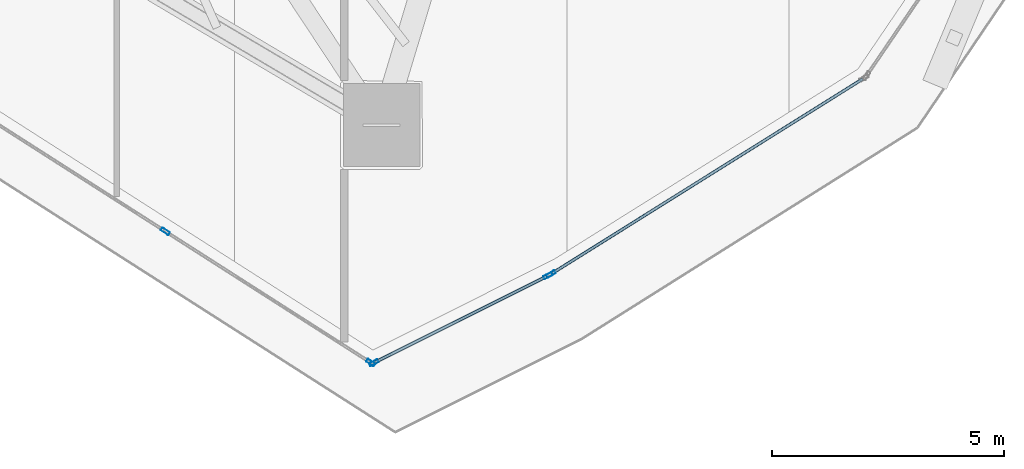
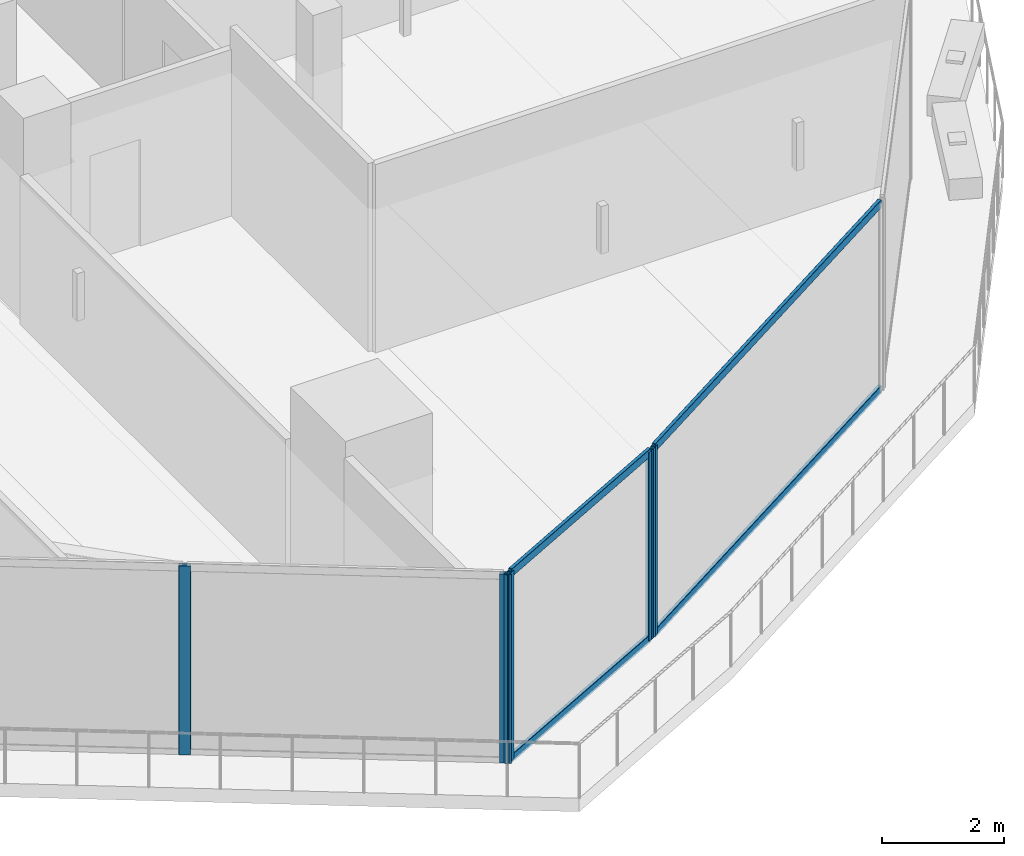
# One storey, part 11 of 40: 9 members, 3 elements without a shape of their own.
"""IFC4 building model written with IfcOpenShell, lengths in metres."""

from ifc_helpers import new_model, si_unit, direction, frame, origin, origin_2d, place, context, subcontext, project, spatial, hollow_rectangle, extrude, material, layer, layer_set, material_profile, profile_set, type_object, element, aggregate, save


model = new_model("IFC4")

# Units and contexts
model_context = context("Model", 3, precision=1e-05, world=origin(), true_north=direction((0.0, 1.0)))
body_context = subcontext(model_context, "Body", "Model", "MODEL_VIEW")
ifc_project = project(units=[si_unit("LENGTHUNIT", "METRE"), si_unit("AREAUNIT", "SQUARE_METRE"), si_unit("VOLUMEUNIT", "CUBIC_METRE"), si_unit("PLANEANGLEUNIT", "RADIAN"), si_unit("MASSUNIT", "GRAM", prefix="KILO")], contexts=[model_context])

# Site, building, storey
site_placement = place(None, origin())
site = spatial("IfcSite", under=ifc_project, at=site_placement, CompositionType="ELEMENT")
building_placement = place(site_placement, origin())
building = spatial("IfcBuilding", under=site, at=building_placement, Name="Qorvath Tower", CompositionType="ELEMENT")
storey_placement = place(building_placement, frame((0.0, 0.0, 225.300048828125)))
storey = spatial("IfcBuildingStorey", under=building, at=storey_placement, Name="L52", CompositionType="ELEMENT", Elevation=225.300048828125)

# Curtain wall, members
ifc_material_1 = material(Name="Anodised aluminium and triple low-E glass", Category="aluminium")
ifc_layer = layer(ifc_material_1, 0.179931640625)
ifc_layer_set = layer_set([ifc_layer], Name="CW-SYS-5")
curtain_wall_type = type_object("IfcCurtainWallType", Name="CW-SYS-5", PredefinedType="NOTDEFINED", material=ifc_layer_set)
curtain_wall_1_placement = place(storey_placement, origin())
curtain_wall_1 = element("IfcCurtainWall", 1, at=curtain_wall_1_placement, inside=storey, type_object=curtain_wall_type, Name="Curtain Wall CW-5 CW-T-L52-4.1", PredefinedType="NOTDEFINED")
ifc_material_2 = material(Name="Anodised aluminium 6063-T6", Category="aluminium")
ifc_material_profile_1 = material_profile(ifc_material_2, hollow_rectangle(XDim=0.074951171875, YDim=0.199951171875, WallThickness=0.00390625, InnerFilletRadius=0.00390625, OuterFilletRadius=0.008056640625, at=origin_2d()), Name="CWM 200x75")
ifc_profile_set_1 = profile_set([ifc_material_profile_1], Name="Anodised aluminium 6063-T6")
member_type_1 = type_object("IfcMemberType", Name="CWM-200", PredefinedType="MULLION", material=ifc_profile_set_1)
member_1_placement = place(storey_placement, frame((-21.541015625, -23.920654296875, 0.0), z_axis=(0.0, 0.0, 1.0), x_axis=(0.538529366974, 0.84260674155, 0.0)))
member_1 = element("IfcMember", 2, at=member_1_placement, type_object=member_type_1, Name="CW-5 mullion 7", PredefinedType="MULLION", context=body_context, shape_type="SweptSolid", body=[
    extrude(hollow_rectangle(XDim=0.074951171875, YDim=0.199951171875, WallThickness=0.00390625, InnerFilletRadius=0.00390625, OuterFilletRadius=0.008056640625, at=origin_2d()), origin(), (0.0, 0.0, 1.0), 3.780029296875),
])
member_2_placement = place(storey_placement, frame((-17.106689453125, -26.754638671875, 0.0), z_axis=(0.0, 0.0, 1.0), x_axis=(0.538529366974, 0.84260674155, 0.0)))
member_2 = element("IfcMember", 3, at=member_2_placement, type_object=member_type_1, Name="CW-5 mullion 8", PredefinedType="MULLION", context=body_context, shape_type="SweptSolid", body=[
    extrude(hollow_rectangle(XDim=0.074951171875, YDim=0.199951171875, WallThickness=0.00390625, InnerFilletRadius=0.00390625, OuterFilletRadius=0.008056640625, at=origin_2d()), origin(), (0.0, 0.0, 1.0), 3.780029296875),
])
aggregate(curtain_wall_1, [member_1, member_2])

curtain_wall_2_placement = place(storey_placement, origin())
curtain_wall_2 = element("IfcCurtainWall", 4, at=curtain_wall_2_placement, inside=storey, type_object=curtain_wall_type, Name="Curtain Wall CW-5 CW-T-L52-5.1", PredefinedType="NOTDEFINED")
member_3_placement = place(storey_placement, frame((-17.04150390625, -26.758056640625, 0.0), z_axis=(0.0, 0.0, 1.0), x_axis=(-0.447232302186, 0.894417837412, 0.0)))
member_3 = element("IfcMember", 5, at=member_3_placement, type_object=member_type_1, Name="CW-5 mullion 1", PredefinedType="MULLION", context=body_context, shape_type="SweptSolid", body=[
    extrude(hollow_rectangle(XDim=0.074951171875, YDim=0.199951171875, WallThickness=0.00390625, InnerFilletRadius=0.00390625, OuterFilletRadius=0.008056640625, at=origin_2d()), origin(), (0.0, 0.0, 1.0), 3.780029296875),
])
member_4_placement = place(storey_placement, frame((-13.283447265625, -24.879150390625, 0.0), z_axis=(0.0, 0.0, 1.0), x_axis=(-0.447232302186, 0.894417837412, 0.0)))
member_4 = element("IfcMember", 6, at=member_4_placement, type_object=member_type_1, Name="CW-5 mullion 2", PredefinedType="MULLION", context=body_context, shape_type="SweptSolid", body=[
    extrude(hollow_rectangle(XDim=0.074951171875, YDim=0.199951171875, WallThickness=0.00390625, InnerFilletRadius=0.00390625, OuterFilletRadius=0.008056640625, at=origin_2d()), origin(), (0.0, 0.0, 1.0), 3.780029296875),
])

# Curtain wall, member
curtain_wall_3_placement = place(storey_placement, origin())
curtain_wall_3 = element("IfcCurtainWall", 7, at=curtain_wall_3_placement, inside=storey, type_object=curtain_wall_type, Name="Curtain Wall CW-5 CW-T-L52-6.1", PredefinedType="NOTDEFINED")
member_5_placement = place(storey_placement, frame((-13.21826171875, -24.84228515625, 0.0), z_axis=(0.0, 0.0, 1.0), x_axis=(-0.530545314822, 0.84765657487, 0.0)))
member_5 = element("IfcMember", 8, at=member_5_placement, type_object=member_type_1, Name="CW-5 mullion 1", PredefinedType="MULLION", context=body_context, shape_type="SweptSolid", body=[
    extrude(hollow_rectangle(XDim=0.074951171875, YDim=0.199951171875, WallThickness=0.00390625, InnerFilletRadius=0.00390625, OuterFilletRadius=0.008056640625, at=origin_2d()), origin(), (0.0, 0.0, 1.0), 3.780029296875),
])

# Member
ifc_material_3 = material(Name="Anodised aluminium 6063-T6", Category="aluminium")
ifc_material_profile_2 = material_profile(ifc_material_3, hollow_rectangle(XDim=0.06494140625, YDim=0.159912109375, WallThickness=0.00341796875, InnerFilletRadius=0.00341796875, OuterFilletRadius=0.007080078125, at=origin_2d()), Name="CWT 160x65")
ifc_profile_set_2 = profile_set([ifc_material_profile_2], Name="Anodised aluminium 6063-T6")
member_type_2 = type_object("IfcMemberType", Name="CWT-160", PredefinedType="USERDEFINED", material=ifc_profile_set_2)
member_6_placement = place(storey_placement, frame((-17.0078125, -26.741455078125, 0.032470703125), z_axis=(0.894391689405, 0.447284591645, 0.0), x_axis=(-0.447284591645, 0.894391689405, 0.0)))
member_6 = element("IfcMember", 9, at=member_6_placement, type_object=member_type_2, Name="CW-5 transom 1.1", ObjectType="TRANSOM", PredefinedType="USERDEFINED", context=body_context, shape_type="SweptSolid", body=[
    extrude(hollow_rectangle(XDim=0.06494140625, YDim=0.159912109375, WallThickness=0.00341796875, InnerFilletRadius=0.00341796875, OuterFilletRadius=0.007080078125, at=origin_2d()), origin(), (0.0, 0.0, 1.0), 4.12646484375),
])

member_7_placement = place(storey_placement, frame((-17.0078125, -26.741455078125, 3.74755859375), z_axis=(0.894391689405, 0.447284591645, 0.0), x_axis=(-0.447284591645, 0.894391689405, 0.0)))
member_7 = element("IfcMember", 10, at=member_7_placement, type_object=member_type_2, Name="CW-5 transom 1.2", ObjectType="TRANSOM", PredefinedType="USERDEFINED", context=body_context, shape_type="SweptSolid", body=[
    extrude(hollow_rectangle(XDim=0.06494140625, YDim=0.159912109375, WallThickness=0.00341796875, InnerFilletRadius=0.00341796875, OuterFilletRadius=0.007080078125, at=origin_2d()), origin(), (0.0, 0.0, 1.0), 4.12646484375),
])

aggregate(curtain_wall_2, [member_3, member_4, member_6, member_7])

member_8_placement = place(storey_placement, frame((-13.1865234375, -24.822509765625, 0.032470703125), z_axis=(0.847661032835, 0.530538192229, 0.0), x_axis=(-0.530538192229, 0.847661032835, 0.0)))
member_8 = element("IfcMember", 11, at=member_8_placement, type_object=member_type_2, Name="CW-5 transom 1.1", ObjectType="TRANSOM", PredefinedType="USERDEFINED", context=body_context, shape_type="SweptSolid", body=[
    extrude(hollow_rectangle(XDim=0.06494140625, YDim=0.159912109375, WallThickness=0.00341796875, InnerFilletRadius=0.00341796875, OuterFilletRadius=0.007080078125, at=origin_2d()), origin(), (0.0, 0.0, 1.0), 7.893310546875),
])

member_9_placement = place(storey_placement, frame((-13.1865234375, -24.822509765625, 3.74755859375), z_axis=(0.847661032835, 0.530538192229, 0.0), x_axis=(-0.530538192229, 0.847661032835, 0.0)))
member_9 = element("IfcMember", 12, at=member_9_placement, type_object=member_type_2, Name="CW-5 transom 1.2", ObjectType="TRANSOM", PredefinedType="USERDEFINED", context=body_context, shape_type="SweptSolid", body=[
    extrude(hollow_rectangle(XDim=0.06494140625, YDim=0.159912109375, WallThickness=0.00341796875, InnerFilletRadius=0.00341796875, OuterFilletRadius=0.007080078125, at=origin_2d()), origin(), (0.0, 0.0, 1.0), 7.893310546875),
])

aggregate(curtain_wall_3, [member_5, member_8, member_9])

save(model, "model.ifc")
